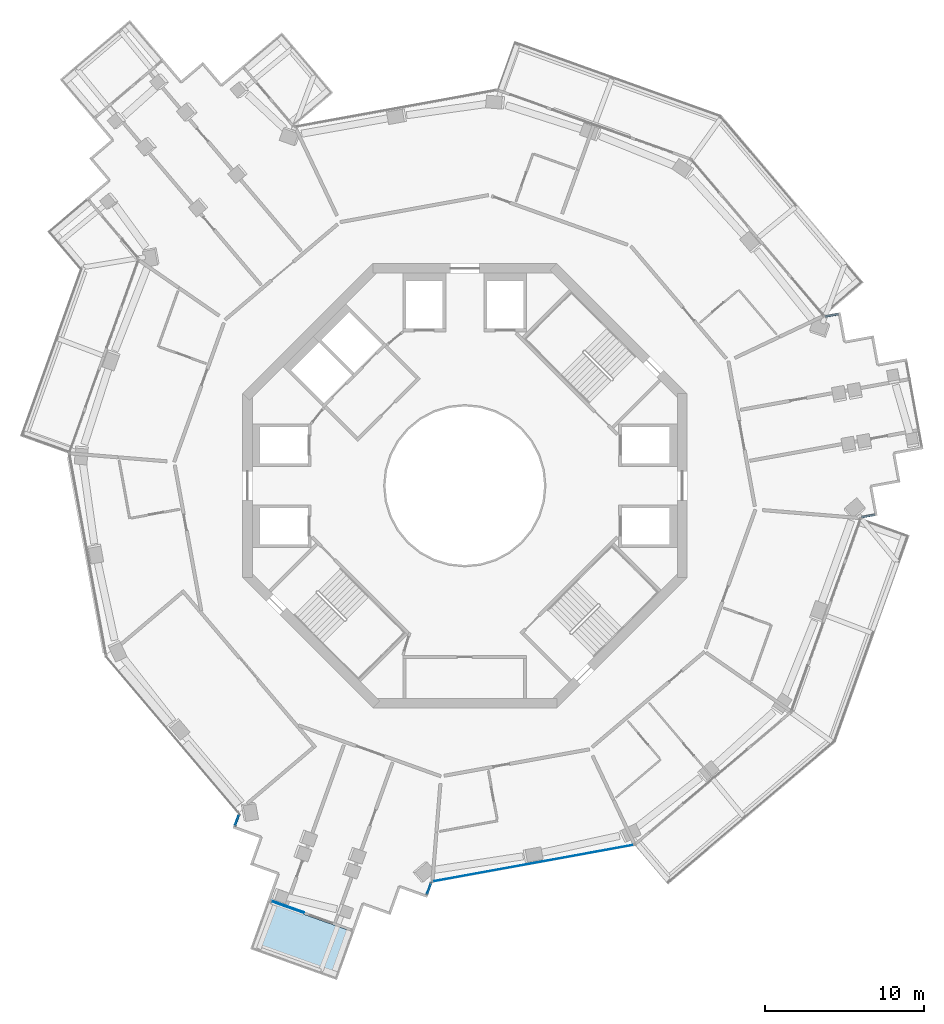
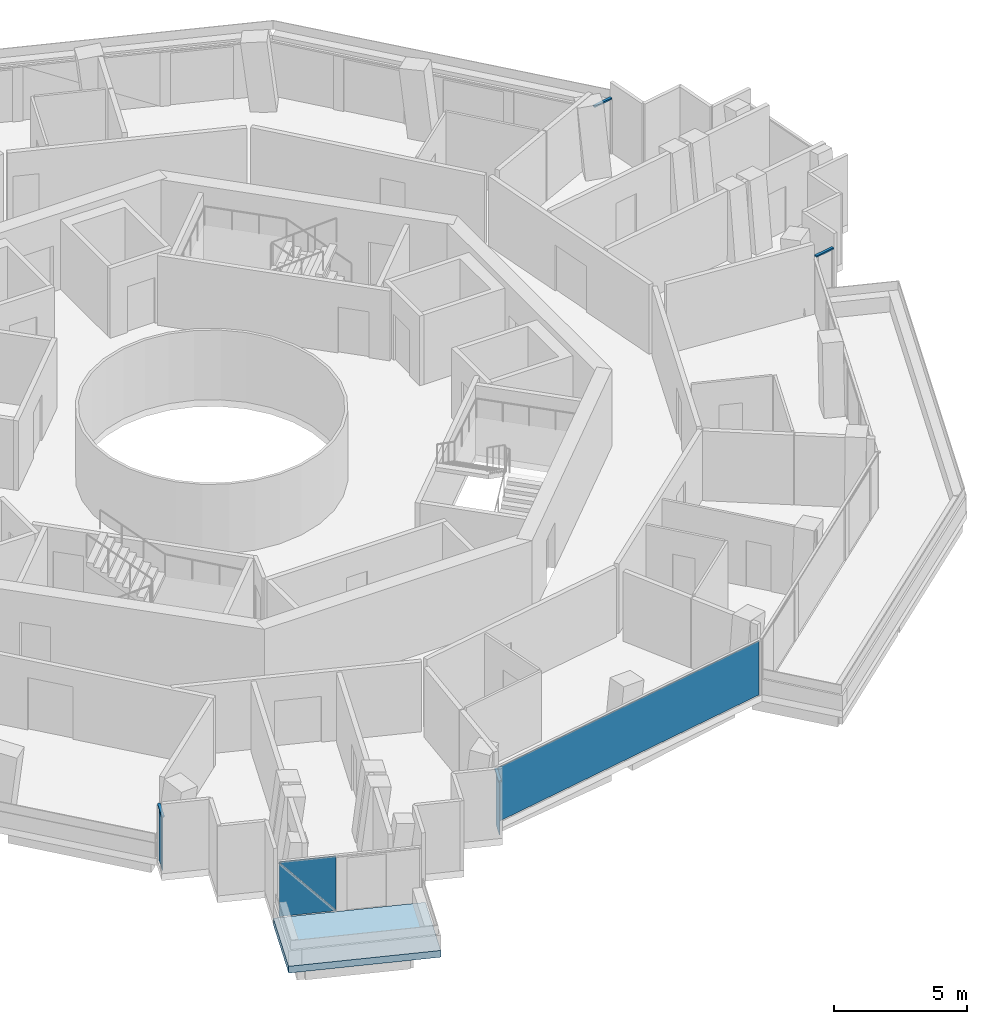
# One storey, part 9 of 21: 5 plates, 4 members, 1 slab, 6 elements without a shape of their own.
"""IFC4 building model written with IfcOpenShell, lengths in metres."""

import ifcopenshell
import ifcopenshell.guid

model = None  # the IFC model being written
_history = None  # IfcOwnerHistory: only IFC2X3 demands one
_inside = {}  # id of a spatial element -> (the spatial element, [elements in it])
_under = {}  # id of a project, library or spatial element -> (it, [spatial elements below it])
_declared = {}  # id of a project -> (the project, [libraries it declares])
_typed = {}  # id of a type object -> (the type object, [elements of that type])
_made_of = {}  # id of a material, layer set ... -> (it, [elements and type objects made of it])


def new_model(schema):
    """Start an empty IFC model of exactly this schema.

    Asked for "IFC4X3", IfcOpenShell would pick the latest addendum, in which some entities
    have other attributes; the version numbers below select the first issue.
    IFC2X3 requires an IfcOwnerHistory on every rooted entity: one is made here for all.
    """
    global model, _history
    if schema == "IFC4X3":
        model = ifcopenshell.file(schema_version=(4, 3, 0, 0))
    else:
        model = ifcopenshell.file(schema=schema)
    _inside.clear()
    _under.clear()
    _declared.clear()
    _typed.clear()
    _made_of.clear()
    _history = None
    if model.schema == "IFC2X3":
        org = make("IfcOrganization", Name="unknown")
        user = make(
            "IfcPersonAndOrganization",
            ThePerson=make("IfcPerson", FamilyName="unknown"),
            TheOrganization=org,
        )
        app = make(
            "IfcApplication",
            ApplicationDeveloper=org,
            Version="unknown",
            ApplicationFullName="unknown",
            ApplicationIdentifier="unknown",
        )
        _history = make(
            "IfcOwnerHistory",
            OwningUser=user,
            OwningApplication=app,
            ChangeAction="ADDED",
            CreationDate=0,
        )
    return model


def make(cls, **values):
    """One entity of the class cls with the attributes given. An attribute that is None is left unset."""
    return model.create_entity(
        cls, **{name: value for name, value in values.items() if value is not None}
    )


def rooted(cls, **values):
    """An entity with a GlobalId (a new one), such as an element, a storey or a relation."""
    return make(cls, GlobalId=ifcopenshell.guid.new(), OwnerHistory=_history, **values)


def si_unit(unit_type, name, prefix=None):
    """IfcSIUnit, for example si_unit("LENGTHUNIT", "METRE", prefix="MILLI")."""
    return make("IfcSIUnit", UnitType=unit_type, Prefix=prefix, Name=name)


def assignment(units):
    """IfcUnitAssignment: the units of a project."""
    return None if units is None else make("IfcUnitAssignment", Units=units)


def point(xyz):
    """IfcCartesianPoint."""
    return None if xyz is None else make("IfcCartesianPoint", Coordinates=xyz)


def direction(xyz):
    """IfcDirection."""
    return None if xyz is None else make("IfcDirection", DirectionRatios=xyz)


def frame(location, z_axis=None, x_axis=None):
    """IfcAxis2Placement3D, a coordinate frame: its origin and axes. An axis left out is left unset."""
    return make(
        "IfcAxis2Placement3D",
        Location=point(location),
        Axis=direction(z_axis),
        RefDirection=direction(x_axis),
    )


def frame_2d(location, x_axis=None):
    """IfcAxis2Placement2D, a coordinate frame in the plane: its origin and x axis."""
    return make(
        "IfcAxis2Placement2D", Location=point(location), RefDirection=direction(x_axis)
    )


def origin():
    """The frame at (0, 0, 0) with its axes left unset."""
    return frame((0.0, 0.0, 0.0))


def origin_2d():
    """The frame at (0, 0) in the plane with its x axis left unset."""
    return frame_2d((0.0, 0.0))


def place(relative_to, where):
    """IfcLocalPlacement: puts the frame where relative to a parent placement (None: the world)."""
    return make(
        "IfcLocalPlacement", PlacementRelTo=relative_to, RelativePlacement=where
    )


def context(
    kind, dimensions, precision=None, world=None, true_north=None, identifier=None
):
    """IfcGeometricRepresentationContext, for example the 3D "Model" context."""
    return make(
        "IfcGeometricRepresentationContext",
        ContextIdentifier=identifier,
        ContextType=kind,
        CoordinateSpaceDimension=dimensions,
        Precision=precision,
        WorldCoordinateSystem=world,
        TrueNorth=true_north,
    )


def subcontext(parent, identifier, kind, view, scale=None):
    """IfcGeometricRepresentationSubContext, for example "Body" below "Model"."""
    return make(
        "IfcGeometricRepresentationSubContext",
        ContextIdentifier=identifier,
        ContextType=kind,
        ParentContext=parent,
        TargetScale=scale,
        TargetView=view,
    )


def project(units=None, contexts=None):
    """IfcProject with its units and contexts."""
    return rooted(
        "IfcProject",
        Name="project",
        RepresentationContexts=contexts,
        UnitsInContext=assignment(units),
    )


def spatial(cls, under=None, at=None, **own):
    """A site, building, storey or space (cls), placed at a placement, below another one or the project."""
    s = rooted(cls, ObjectPlacement=at, **own)
    if under is not None:
        _under.setdefault(under.id(), (under, []))[1].append(s)
    return s


def polyline(points):
    """IfcPolyline through the points."""
    return make("IfcPolyline", Points=[point(p) for p in points])


def profile(cls, at=None, kind="AREA", **sizes):
    """A parametric profile (cls). Its sizes go by their IFC names, for example OverallWidth=200.0."""
    return make(cls, ProfileType=kind, Position=at, **sizes)


def rectangle(**sizes):
    """IfcRectangleProfileDef."""
    return profile("IfcRectangleProfileDef", **sizes)


def outline(outer, holes=None, kind="AREA"):
    """IfcArbitraryClosedProfileDef: a profile drawn as a closed curve; with holes, ...WithVoids."""
    if holes is None:
        return make("IfcArbitraryClosedProfileDef", ProfileType=kind, OuterCurve=outer)
    return make(
        "IfcArbitraryProfileDefWithVoids",
        ProfileType=kind,
        OuterCurve=outer,
        InnerCurves=holes,
    )


def extrude(swept, where, along, depth):
    """IfcExtrudedAreaSolid: the profile swept, set in the frame where, extruded along a direction by depth."""
    return make(
        "IfcExtrudedAreaSolid",
        SweptArea=swept,
        Position=where,
        ExtrudedDirection=direction(along),
        Depth=depth,
    )


def shape(context_of_items, identifier, shape_type, items):
    """IfcShapeRepresentation: the items that make up one representation, for example the "Body"."""
    return make(
        "IfcShapeRepresentation",
        ContextOfItems=context_of_items,
        RepresentationIdentifier=identifier,
        RepresentationType=shape_type,
        Items=items,
    )


def material(Name=None, Category=None):
    """IfcMaterial."""
    return make("IfcMaterial", Name=Name, Category=Category)


def layer(
    of_material, thickness, ventilated=None, Name=None, Category=None, Priority=None
):
    """IfcMaterialLayer: one layer of a wall or slab, of a material (None: an air gap)."""
    return make(
        "IfcMaterialLayer",
        Material=of_material,
        LayerThickness=thickness,
        IsVentilated=ventilated,
        Name=Name,
        Category=Category,
        Priority=Priority,
    )


def layer_set(layers, Name=None):
    """IfcMaterialLayerSet."""
    return make("IfcMaterialLayerSet", MaterialLayers=layers, LayerSetName=Name)


def material_profile(
    of_material, cross_section, Name=None, Category=None, Priority=None
):
    """IfcMaterialProfile: a cross section and its material."""
    return make(
        "IfcMaterialProfile",
        Name=Name,
        Material=of_material,
        Profile=cross_section,
        Priority=Priority,
        Category=Category,
    )


def profile_set(profiles, Name=None, composite=None):
    """IfcMaterialProfileSet."""
    return make(
        "IfcMaterialProfileSet",
        Name=Name,
        MaterialProfiles=profiles,
        CompositeProfile=composite,
    )


def made_of(thing, what):
    """Note that an element or type object is made of a material, layer set ...; save() writes the relation."""
    if what is not None:
        _made_of.setdefault(what.id(), (what, []))[1].append(thing)
    return thing


def type_object(cls, material=None, **own):
    """A type object (cls), such as IfcWallType, which elements share."""
    return made_of(rooted(cls, **own), material)


def element(
    cls,
    number,
    at=None,
    inside=None,
    cuts=None,
    type_object=None,
    material=None,
    context=None,
    identifier="Body",
    shape_type=None,
    held_by="IfcProductDefinitionShape",
    body=None,
    shapes=None,
    **own,
):
    """One element of the class cls, such as IfcWall. Its Tag is "e" and its number.

    at: its placement. inside: the storey or other place that contains it. cuts: it is an
    opening in that element (IfcRelVoidsElement). A single representation is given by context,
    identifier, shape_type and body (its items); several are given by shapes. held_by: the class
    of the entity that holds the representations. save() writes the other relations.
    """
    e = rooted(cls, Tag="e%d" % number, ObjectPlacement=at, **own)
    if body is not None:
        shapes = [shape(context, identifier, shape_type, body)]
    if shapes is not None:
        e.Representation = make(held_by, Representations=shapes)
    if inside is not None:
        _inside.setdefault(inside.id(), (inside, []))[1].append(e)
    if cuts is not None:
        rooted(
            "IfcRelVoidsElement", RelatingBuildingElement=cuts, RelatedOpeningElement=e
        )
    if type_object is not None:
        _typed.setdefault(type_object.id(), (type_object, []))[1].append(e)
    return made_of(e, material)


def aggregate(whole, parts):
    """IfcRelAggregates: a whole, such as a stair, and the parts it consists of."""
    return rooted("IfcRelAggregates", RelatingObject=whole, RelatedObjects=parts)


def save(model, path):
    """Write the relations noted so far, then the file.

    IfcRelAggregates (storeys below a building ...), IfcRelContainedInSpatialStructure (elements
    in a storey), IfcRelDefinesByType, IfcRelAssociatesMaterial and IfcRelDeclares: one each for
    every whole, place, type object, material and project.
    """
    for whole, parts in _under.values():
        aggregate(whole, parts)
    for where, things in _inside.values():
        rooted(
            "IfcRelContainedInSpatialStructure",
            RelatedElements=things,
            RelatingStructure=where,
        )
    for kind, things in _typed.values():
        rooted("IfcRelDefinesByType", RelatedObjects=things, RelatingType=kind)
    for what, things in _made_of.values():
        rooted("IfcRelAssociatesMaterial", RelatedObjects=things, RelatingMaterial=what)
    for by, libraries in _declared.values():
        rooted("IfcRelDeclares", RelatingContext=by, RelatedDefinitions=libraries)
    model.write(path)


model = new_model("IFC4")

# Units and contexts
model_context = context("Model", 3, precision=1e-05, world=origin(), true_north=direction((0.0, 1.0)))
body_context = subcontext(model_context, "Body", "Model", "MODEL_VIEW")
ifc_project = project(units=[si_unit("LENGTHUNIT", "METRE"), si_unit("AREAUNIT", "SQUARE_METRE"), si_unit("VOLUMEUNIT", "CUBIC_METRE"), si_unit("PLANEANGLEUNIT", "RADIAN"), si_unit("MASSUNIT", "GRAM", prefix="KILO")], contexts=[model_context])

# Site, building, storey
site_placement = place(None, origin())
site = spatial("IfcSite", under=ifc_project, at=site_placement, CompositionType="ELEMENT")
building_placement = place(site_placement, origin())
building = spatial("IfcBuilding", under=site, at=building_placement, Name="Verdalira Terraces Hotel", CompositionType="ELEMENT")
storey_placement = place(building_placement, frame((0.0, 0.0, 197.5)))
storey = spatial("IfcBuildingStorey", under=building, at=storey_placement, Name="L48", CompositionType="ELEMENT", Elevation=197.5)

# Curtain wall, member
ifc_material_1 = material(Name="Clear glass", Category="glass")
ifc_layer_1 = layer(ifc_material_1, 0.14990234375)
ifc_layer_set_1 = layer_set([ifc_layer_1], Name="CW2 curtain wall")
curtain_wall_type_1 = type_object("IfcCurtainWallType", Name="CW2 curtain wall", PredefinedType="NOTDEFINED", material=ifc_layer_set_1)
curtain_wall_1_placement = place(storey_placement, origin())
curtain_wall_1 = element("IfcCurtainWall", 1, at=curtain_wall_1_placement, inside=storey, type_object=curtain_wall_type_1, Name="CW2 curtain wall L48 edge 14", PredefinedType="NOTDEFINED")
ifc_material_2 = material(Name="Terracotta frame", Category="masonry")
ifc_material_profile = material_profile(ifc_material_2, rectangle(XDim=0.11499, YDim=0.064941, at=origin_2d()), Name="TR 65x115")
ifc_profile_set = profile_set([ifc_material_profile], Name="Terracotta frame")
member_type = type_object("IfcMemberType", Name="CW2 transom 65x115", PredefinedType="USERDEFINED", material=ifc_profile_set)
member_1_placement = place(storey_placement, frame((-14.218994, -20.677734, 2.507568), z_axis=(-0.336918587, -0.941533784, 0.0), x_axis=(0.941533784, -0.336918587, 0.0)))
member_1 = element("IfcMember", 2, at=member_1_placement, type_object=member_type, Name="CW2 transom", ObjectType="TRANSOM", PredefinedType="USERDEFINED", context=body_context, shape_type="SweptSolid", body=[
    extrude(rectangle(XDim=0.11499, YDim=0.064941, at=origin_2d()), origin(), (0.0, 0.0, 1.0), 0.850098),
])

curtain_wall_2_placement = place(storey_placement, origin())
curtain_wall_2 = element("IfcCurtainWall", 3, at=curtain_wall_2_placement, inside=storey, type_object=curtain_wall_type_1, Name="CW2 curtain wall L48 edge 24", PredefinedType="NOTDEFINED")
member_2_placement = place(storey_placement, frame((-2.406006, -25.80542, 2.507568), z_axis=(0.336918587, 0.941533784, 0.0), x_axis=(-0.941533784, 0.336918587, 0.0)))
member_2 = element("IfcMember", 4, at=member_2_placement, type_object=member_type, Name="CW2 transom", ObjectType="TRANSOM", PredefinedType="USERDEFINED", context=body_context, shape_type="SweptSolid", body=[
    extrude(rectangle(XDim=0.11499, YDim=0.064941, at=origin_2d()), origin(), (0.0, 0.0, 1.0), 0.850098),
])

curtain_wall_3_placement = place(storey_placement, origin())
curtain_wall_3 = element("IfcCurtainWall", 5, at=curtain_wall_3_placement, inside=storey, type_object=curtain_wall_type_1, Name="CW2 curtain wall L48 edge 28", PredefinedType="NOTDEFINED")
member_3_placement = place(storey_placement, frame((25.016846, -1.975342, 2.507568), z_axis=(0.983814728, 0.179188672, 0.0), x_axis=(-0.179188672, 0.983814728, 0.0)))
member_3 = element("IfcMember", 6, at=member_3_placement, type_object=member_type, Name="CW2 transom", ObjectType="TRANSOM", PredefinedType="USERDEFINED", context=body_context, shape_type="SweptSolid", body=[
    extrude(rectangle(XDim=0.11499, YDim=0.064941, at=origin_2d()), origin(), (0.0, 0.0, 1.0), 0.850098),
])
aggregate(curtain_wall_3, [member_3])

curtain_wall_4_placement = place(storey_placement, origin())
curtain_wall_4 = element("IfcCurtainWall", 7, at=curtain_wall_4_placement, inside=storey, type_object=curtain_wall_type_1, Name="CW2 curtain wall L48 edge 38", PredefinedType="NOTDEFINED")
member_4_placement = place(storey_placement, frame((23.551025, 10.819092, 2.507568), z_axis=(-0.983805504, -0.179239309, 0.0), x_axis=(0.179239309, -0.983805504, 0.0)))
member_4 = element("IfcMember", 8, at=member_4_placement, type_object=member_type, Name="CW2 transom", ObjectType="TRANSOM", PredefinedType="USERDEFINED", context=body_context, shape_type="SweptSolid", body=[
    extrude(rectangle(XDim=0.11499, YDim=0.064941, at=origin_2d()), origin(), (0.0, 0.0, 1.0), 0.849854),
])
aggregate(curtain_wall_4, [member_4])

# Slab
ifc_material_3 = material(Name="Precast concrete C40/50", Category="concrete")
ifc_layer_2 = layer(ifc_material_3, 0.31005859375)
ifc_layer_set_2 = layer_set([ifc_layer_2], Name="Balcony deck 310")
slab_type = type_object("IfcSlabType", Name="Balcony deck 310", PredefinedType="FLOOR", material=ifc_layer_set_2)
slab_placement = place(storey_placement, frame((0.0, 0.0, -0.310059)))
element("IfcSlab", 9, at=slab_placement, inside=storey, type_object=slab_type, Name="Balcony deck", PredefinedType="FLOOR", context=body_context, shape_type="SweptSolid", body=[
    extrude(outline(polyline([(-8.065674, -31.162354), (-6.988037, -28.14917), (-12.449219, -26.196045), (-13.526855, -29.209229), (-8.065674, -31.162354)])), origin(), (0.0, 0.0, 1.0), 0.310059),
])

# Curtain wall, plate
ifc_material_4 = material(Name="Clear glass", Category="glass")
ifc_layer_3 = layer(ifc_material_4, 0.14990234375)
ifc_layer_set_3 = layer_set([ifc_layer_3], Name="CW1 curtain wall")
curtain_wall_type_2 = type_object("IfcCurtainWallType", Name="CW1 curtain wall", PredefinedType="NOTDEFINED", material=ifc_layer_set_3)
curtain_wall_5_placement = place(storey_placement, origin())
curtain_wall_5 = element("IfcCurtainWall", 10, at=curtain_wall_5_placement, inside=storey, type_object=curtain_wall_type_2, Name="CW1 curtain wall L48 edge 25", PredefinedType="NOTDEFINED")
ifc_material_5 = material(Name="Clear glass", Category="glass")
ifc_layer_4 = layer(ifc_material_5, 0.028076171875)
ifc_layer_set_4 = layer_set([ifc_layer_4], Name="CW1 glass unit 28")
plate_type_1 = type_object("IfcPlateType", Name="CW1 glass unit 28", PredefinedType="CURTAIN_PANEL", material=ifc_layer_set_4)
plate_1_placement = place(storey_placement, frame((4.3125, -23.795654, 0.0), z_axis=(0.0, 0.0, 1.0), x_axis=(0.983822564, 0.179145645, 0.0)))
plate_1 = element("IfcPlate", 11, at=plate_1_placement, type_object=plate_type_1, Name="CW1 glass unit", PredefinedType="CURTAIN_PANEL", context=body_context, shape_type="SweptSolid", body=[
    extrude(rectangle(XDim=12.839844, YDim=0.028076, at=origin_2d()), origin(), (0.0, 0.0, 1.0), 2.475098),
])
aggregate(curtain_wall_5, [plate_1])

# Plate
ifc_material_6 = material(Name="Clear glass", Category="glass")
ifc_layer_5 = layer(ifc_material_6, 0.031982421875)
ifc_layer_set_5 = layer_set([ifc_layer_5], Name="CW2 glass unit 32")
plate_type_2 = type_object("IfcPlateType", Name="CW2 glass unit 32", PredefinedType="CURTAIN_PANEL", material=ifc_layer_set_5)
plate_2_placement = place(storey_placement, frame((-14.362305, -21.077881, 0.0), z_axis=(0.0, 0.0, 1.0), x_axis=(-0.336766603, -0.941588156, 0.0)))
plate_2 = element("IfcPlate", 12, at=plate_2_placement, type_object=plate_type_2, Name="CW2 glass unit", PredefinedType="CURTAIN_PANEL", context=body_context, shape_type="SweptSolid", body=[
    extrude(rectangle(XDim=0.709961, YDim=0.031982, at=origin_2d()), origin(), (0.0, 0.0, 1.0), 2.475098),
])

aggregate(curtain_wall_1, [member_1, plate_2])

plate_3_placement = place(storey_placement, frame((-2.262695, -25.405273, 0.0), z_axis=(0.0, 0.0, 1.0), x_axis=(0.336766603, 0.941588156, 0.0)))
plate_3 = element("IfcPlate", 13, at=plate_3_placement, type_object=plate_type_2, Name="CW2 glass unit", PredefinedType="CURTAIN_PANEL", context=body_context, shape_type="SweptSolid", body=[
    extrude(rectangle(XDim=0.709961, YDim=0.031982, at=origin_2d()), origin(), (0.0, 0.0, 1.0), 2.475098),
])

aggregate(curtain_wall_2, [member_2, plate_3])

# Curtain wall, plates
ifc_material_7 = material(Name="Clear glass", Category="glass")
ifc_layer_6 = layer(ifc_material_7, 0.14990234375)
ifc_layer_set_6 = layer_set([ifc_layer_6], Name="CW3 curtain wall")
curtain_wall_type_3 = type_object("IfcCurtainWallType", Name="CW3 curtain wall", PredefinedType="NOTDEFINED", material=ifc_layer_set_6)
curtain_wall_6_placement = place(storey_placement, origin())
curtain_wall_6 = element("IfcCurtainWall", 14, at=curtain_wall_6_placement, inside=storey, type_object=curtain_wall_type_3, Name="CW3 curtain wall L48 edge 19", PredefinedType="NOTDEFINED")
ifc_material_8 = material(Name="Clear glass", Category="glass")
ifc_layer_7 = layer(ifc_material_8, 0.035888671875)
ifc_layer_set_7 = layer_set([ifc_layer_7], Name="CW3 glass unit 36")
plate_type_3 = type_object("IfcPlateType", Name="CW3 glass unit 36", PredefinedType="CURTAIN_PANEL", material=ifc_layer_set_7)
plate_4_placement = place(storey_placement, frame((-11.174805, -26.553223, 1.237549), z_axis=(-0.336766603, -0.941588156, 0.0), x_axis=(0.941588156, -0.336766603, 0.0)))
plate_4 = element("IfcPlate", 15, at=plate_4_placement, type_object=plate_type_3, Name="CW3 glass unit", PredefinedType="CURTAIN_PANEL", context=body_context, shape_type="SweptSolid", body=[
    extrude(outline(polyline([(-1.089844, -1.237549), (1.089844, -1.237549), (-1.089844, 1.237549), (-1.089844, -1.237549)])), origin(), (0.0, 0.0, 1.0), 0.035889),
])
plate_5_placement = place(storey_placement, frame((-11.162354, -26.518311, 1.237549), z_axis=(-0.336766603, -0.941588156, 0.0), x_axis=(0.941588156, -0.336766603, 0.0)))
plate_5 = element("IfcPlate", 16, at=plate_5_placement, type_object=plate_type_3, Name="CW3 glass unit", PredefinedType="CURTAIN_PANEL", context=body_context, shape_type="SweptSolid", body=[
    extrude(outline(polyline([(1.089844, -1.237549), (1.089844, 1.237549), (-1.089844, 1.237549), (1.089844, -1.237549)])), origin(), (0.0, 0.0, 1.0), 0.035889),
])
aggregate(curtain_wall_6, [plate_4, plate_5])

save(model, "model.ifc")
